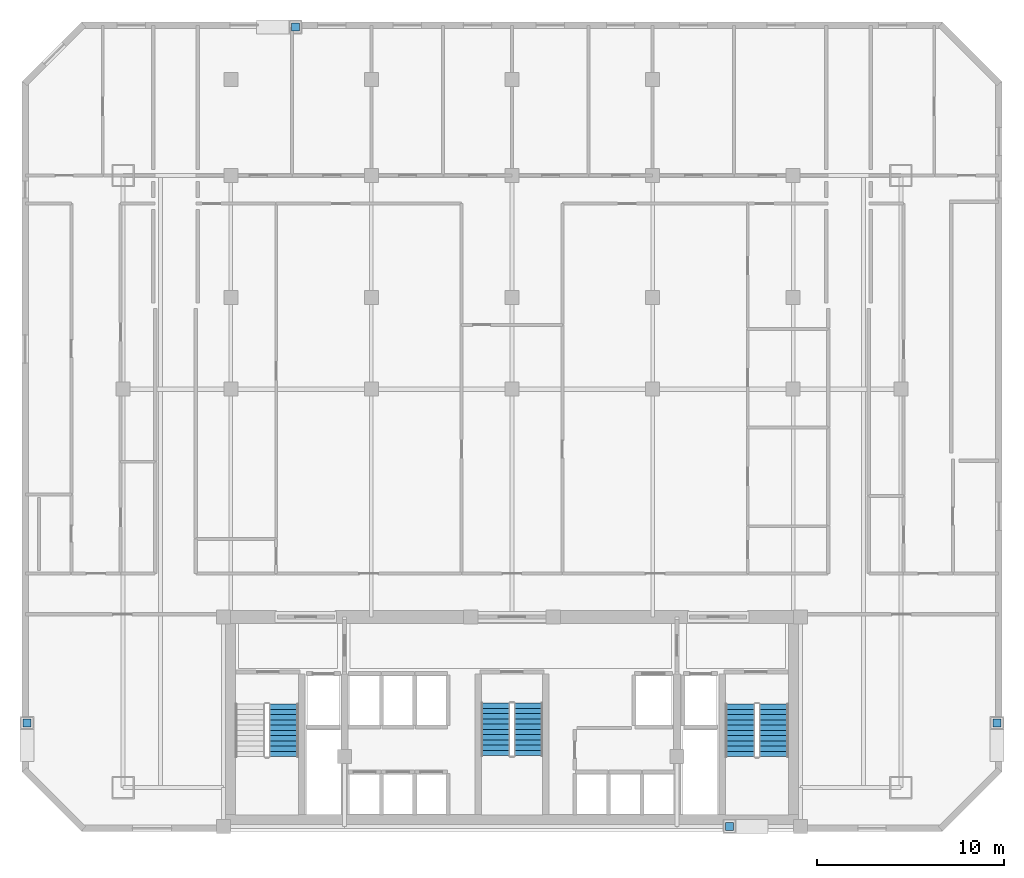
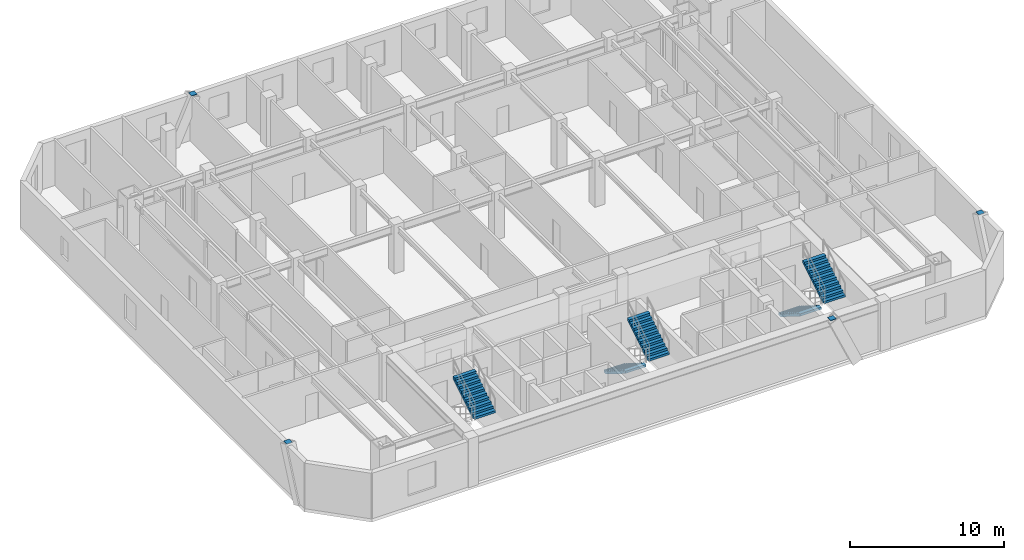
# One storey, part 7 of 8: 5 stair flights, 4 discrete accessories, 3 elements without a shape of their own.
"""IFC4 building model written with IfcOpenShell, lengths in metres."""

import ifcopenshell
import ifcopenshell.guid

model = None  # the IFC model being written
_history = None  # IfcOwnerHistory: only IFC2X3 demands one
_inside = {}  # id of a spatial element -> (the spatial element, [elements in it])
_under = {}  # id of a project, library or spatial element -> (it, [spatial elements below it])
_declared = {}  # id of a project -> (the project, [libraries it declares])
_typed = {}  # id of a type object -> (the type object, [elements of that type])
_made_of = {}  # id of a material, layer set ... -> (it, [elements and type objects made of it])


def new_model(schema):
    """Start an empty IFC model of exactly this schema.

    Asked for "IFC4X3", IfcOpenShell would pick the latest addendum, in which some entities
    have other attributes; the version numbers below select the first issue.
    IFC2X3 requires an IfcOwnerHistory on every rooted entity: one is made here for all.
    """
    global model, _history
    if schema == "IFC4X3":
        model = ifcopenshell.file(schema_version=(4, 3, 0, 0))
    else:
        model = ifcopenshell.file(schema=schema)
    _inside.clear()
    _under.clear()
    _declared.clear()
    _typed.clear()
    _made_of.clear()
    _history = None
    if model.schema == "IFC2X3":
        org = make("IfcOrganization", Name="unknown")
        user = make(
            "IfcPersonAndOrganization",
            ThePerson=make("IfcPerson", FamilyName="unknown"),
            TheOrganization=org,
        )
        app = make(
            "IfcApplication",
            ApplicationDeveloper=org,
            Version="unknown",
            ApplicationFullName="unknown",
            ApplicationIdentifier="unknown",
        )
        _history = make(
            "IfcOwnerHistory",
            OwningUser=user,
            OwningApplication=app,
            ChangeAction="ADDED",
            CreationDate=0,
        )
    return model


def make(cls, **values):
    """One entity of the class cls with the attributes given. An attribute that is None is left unset."""
    return model.create_entity(
        cls, **{name: value for name, value in values.items() if value is not None}
    )


def rooted(cls, **values):
    """An entity with a GlobalId (a new one), such as an element, a storey or a relation."""
    return make(cls, GlobalId=ifcopenshell.guid.new(), OwnerHistory=_history, **values)


def si_unit(unit_type, name, prefix=None):
    """IfcSIUnit, for example si_unit("LENGTHUNIT", "METRE", prefix="MILLI")."""
    return make("IfcSIUnit", UnitType=unit_type, Prefix=prefix, Name=name)


def assignment(units):
    """IfcUnitAssignment: the units of a project."""
    return None if units is None else make("IfcUnitAssignment", Units=units)


def point(xyz):
    """IfcCartesianPoint."""
    return None if xyz is None else make("IfcCartesianPoint", Coordinates=xyz)


def direction(xyz):
    """IfcDirection."""
    return None if xyz is None else make("IfcDirection", DirectionRatios=xyz)


def frame(location, z_axis=None, x_axis=None):
    """IfcAxis2Placement3D, a coordinate frame: its origin and axes. An axis left out is left unset."""
    return make(
        "IfcAxis2Placement3D",
        Location=point(location),
        Axis=direction(z_axis),
        RefDirection=direction(x_axis),
    )


def frame_2d(location, x_axis=None):
    """IfcAxis2Placement2D, a coordinate frame in the plane: its origin and x axis."""
    return make(
        "IfcAxis2Placement2D", Location=point(location), RefDirection=direction(x_axis)
    )


def origin():
    """The frame at (0, 0, 0) with its axes left unset."""
    return frame((0.0, 0.0, 0.0))


def origin_2d():
    """The frame at (0, 0) in the plane with its x axis left unset."""
    return frame_2d((0.0, 0.0))


def place(relative_to, where):
    """IfcLocalPlacement: puts the frame where relative to a parent placement (None: the world)."""
    return make(
        "IfcLocalPlacement", PlacementRelTo=relative_to, RelativePlacement=where
    )


def context(
    kind, dimensions, precision=None, world=None, true_north=None, identifier=None
):
    """IfcGeometricRepresentationContext, for example the 3D "Model" context."""
    return make(
        "IfcGeometricRepresentationContext",
        ContextIdentifier=identifier,
        ContextType=kind,
        CoordinateSpaceDimension=dimensions,
        Precision=precision,
        WorldCoordinateSystem=world,
        TrueNorth=true_north,
    )


def subcontext(parent, identifier, kind, view, scale=None):
    """IfcGeometricRepresentationSubContext, for example "Body" below "Model"."""
    return make(
        "IfcGeometricRepresentationSubContext",
        ContextIdentifier=identifier,
        ContextType=kind,
        ParentContext=parent,
        TargetScale=scale,
        TargetView=view,
    )


def project(units=None, contexts=None):
    """IfcProject with its units and contexts."""
    return rooted(
        "IfcProject",
        Name="project",
        RepresentationContexts=contexts,
        UnitsInContext=assignment(units),
    )


def spatial(cls, under=None, at=None, **own):
    """A site, building, storey or space (cls), placed at a placement, below another one or the project."""
    s = rooted(cls, ObjectPlacement=at, **own)
    if under is not None:
        _under.setdefault(under.id(), (under, []))[1].append(s)
    return s


def polyline(points):
    """IfcPolyline through the points."""
    return make("IfcPolyline", Points=[point(p) for p in points])


def profile(cls, at=None, kind="AREA", **sizes):
    """A parametric profile (cls). Its sizes go by their IFC names, for example OverallWidth=200.0."""
    return make(cls, ProfileType=kind, Position=at, **sizes)


def rectangle(**sizes):
    """IfcRectangleProfileDef."""
    return profile("IfcRectangleProfileDef", **sizes)


def outline(outer, holes=None, kind="AREA"):
    """IfcArbitraryClosedProfileDef: a profile drawn as a closed curve; with holes, ...WithVoids."""
    if holes is None:
        return make("IfcArbitraryClosedProfileDef", ProfileType=kind, OuterCurve=outer)
    return make(
        "IfcArbitraryProfileDefWithVoids",
        ProfileType=kind,
        OuterCurve=outer,
        InnerCurves=holes,
    )


def extrude(swept, where, along, depth):
    """IfcExtrudedAreaSolid: the profile swept, set in the frame where, extruded along a direction by depth."""
    return make(
        "IfcExtrudedAreaSolid",
        SweptArea=swept,
        Position=where,
        ExtrudedDirection=direction(along),
        Depth=depth,
    )


def shape(context_of_items, identifier, shape_type, items):
    """IfcShapeRepresentation: the items that make up one representation, for example the "Body"."""
    return make(
        "IfcShapeRepresentation",
        ContextOfItems=context_of_items,
        RepresentationIdentifier=identifier,
        RepresentationType=shape_type,
        Items=items,
    )


def material(Name=None, Category=None):
    """IfcMaterial."""
    return make("IfcMaterial", Name=Name, Category=Category)


def made_of(thing, what):
    """Note that an element or type object is made of a material, layer set ...; save() writes the relation."""
    if what is not None:
        _made_of.setdefault(what.id(), (what, []))[1].append(thing)
    return thing


def type_object(cls, material=None, **own):
    """A type object (cls), such as IfcWallType, which elements share."""
    return made_of(rooted(cls, **own), material)


def element(
    cls,
    number,
    at=None,
    inside=None,
    cuts=None,
    type_object=None,
    material=None,
    context=None,
    identifier="Body",
    shape_type=None,
    held_by="IfcProductDefinitionShape",
    body=None,
    shapes=None,
    **own,
):
    """One element of the class cls, such as IfcWall. Its Tag is "e" and its number.

    at: its placement. inside: the storey or other place that contains it. cuts: it is an
    opening in that element (IfcRelVoidsElement). A single representation is given by context,
    identifier, shape_type and body (its items); several are given by shapes. held_by: the class
    of the entity that holds the representations. save() writes the other relations.
    """
    e = rooted(cls, Tag="e%d" % number, ObjectPlacement=at, **own)
    if body is not None:
        shapes = [shape(context, identifier, shape_type, body)]
    if shapes is not None:
        e.Representation = make(held_by, Representations=shapes)
    if inside is not None:
        _inside.setdefault(inside.id(), (inside, []))[1].append(e)
    if cuts is not None:
        rooted(
            "IfcRelVoidsElement", RelatingBuildingElement=cuts, RelatedOpeningElement=e
        )
    if type_object is not None:
        _typed.setdefault(type_object.id(), (type_object, []))[1].append(e)
    return made_of(e, material)


def aggregate(whole, parts):
    """IfcRelAggregates: a whole, such as a stair, and the parts it consists of."""
    return rooted("IfcRelAggregates", RelatingObject=whole, RelatedObjects=parts)


def save(model, path):
    """Write the relations noted so far, then the file.

    IfcRelAggregates (storeys below a building ...), IfcRelContainedInSpatialStructure (elements
    in a storey), IfcRelDefinesByType, IfcRelAssociatesMaterial and IfcRelDeclares: one each for
    every whole, place, type object, material and project.
    """
    for whole, parts in _under.values():
        aggregate(whole, parts)
    for where, things in _inside.values():
        rooted(
            "IfcRelContainedInSpatialStructure",
            RelatedElements=things,
            RelatingStructure=where,
        )
    for kind, things in _typed.values():
        rooted("IfcRelDefinesByType", RelatedObjects=things, RelatingType=kind)
    for what, things in _made_of.values():
        rooted("IfcRelAssociatesMaterial", RelatedObjects=things, RelatingMaterial=what)
    for by, libraries in _declared.values():
        rooted("IfcRelDeclares", RelatingContext=by, RelatedDefinitions=libraries)
    model.write(path)


model = new_model("IFC4")

# Units and contexts
model_context = context("Model", 3, precision=1e-05, world=origin(), true_north=direction((0.0, 1.0)))
body_context = subcontext(model_context, "Body", "Model", "MODEL_VIEW")
ifc_project = project(units=[si_unit("LENGTHUNIT", "METRE"), si_unit("AREAUNIT", "SQUARE_METRE"), si_unit("VOLUMEUNIT", "CUBIC_METRE"), si_unit("PLANEANGLEUNIT", "RADIAN"), si_unit("MASSUNIT", "GRAM", prefix="KILO")], contexts=[model_context])

# Site, building, storey
site_placement = place(None, origin())
site = spatial("IfcSite", under=ifc_project, at=site_placement, CompositionType="ELEMENT")
building_placement = place(site_placement, origin())
building = spatial("IfcBuilding", under=site, at=building_placement, Name="Ventersveld Concourse Tower", CompositionType="ELEMENT")
storey_placement = place(building_placement, frame((0.0, 0.0, 127.25)))
storey = spatial("IfcBuildingStorey", under=building, at=storey_placement, Name="L31", CompositionType="ELEMENT", Elevation=127.25)

# Stair, stair flights
ifc_material_1 = material(Name="Concrete C50/60", Category="concrete")
stair_type_1 = type_object("IfcStairType", Name="ST-DOG-155", PredefinedType="HALF_TURN_STAIR", material=ifc_material_1)
stair_1_placement = place(storey_placement, origin())
stair_1 = element("IfcStair", 1, at=stair_1_placement, inside=storey, type_object=stair_type_1, Name="L31 Protected Central Core Escape Stair ST-03", PredefinedType="HALF_TURN_STAIR")
stair_flight_type_1 = type_object("IfcStairFlightType", Name="STF-RC-155", PredefinedType="STRAIGHT", material=ifc_material_1)
stair_flight_1_placement = place(storey_placement, frame((27.875, 6.85009765625, 0.0), z_axis=(0.0, 0.0, 1.0), x_axis=(0.0, -1.0, 0.0)))
stair_flight_1 = element("IfcStairFlight", 2, at=stair_flight_1_placement, type_object=stair_flight_type_1, Name="ST-03 flight 1", NumberOfRisers=11, NumberOfTreads=10, PredefinedType="STRAIGHT", RiserHeight=0.175, TreadLength=0.28, context=body_context, shape_type="SweptSolid", body=[
    extrude(outline(polyline([(0.0, 0.0), (0.0, 0.175048828125), (0.280029296875, 0.175048828125), (0.280029296875, 0.35009765625), (0.56005859375, 0.35009765625), (0.56005859375, 0.52490234375), (0.840087890625, 0.52490234375), (0.840087890625, 0.699951171875), (1.1201171875, 0.699951171875), (1.1201171875, 0.875), (1.39990234375, 0.875), (1.39990234375, 1.050048828125), (1.679931640625, 1.050048828125), (1.679931640625, 1.22509765625), (1.9599609375, 1.22509765625), (1.9599609375, 1.39990234375), (2.239990234375, 1.39990234375), (2.239990234375, 1.574951171875), (2.52001953125, 1.574951171875), (2.52001953125, 1.75), (2.800048828125, 1.75), (2.800048828125, 1.925048828125), (2.800048828125, 1.5732421875), (0.28271484375, 0.0), (0.0, 0.0)])), frame((0.0, 0.77490234375, 0.0), z_axis=(0.0, -1.0, 0.0), x_axis=(1.0, 0.0, 0.0)), (0.0, 0.0, 1.0), 1.550048828125),
])
stair_flight_2_placement = place(storey_placement, frame((29.625, 4.050048828125, 1.925048828125), z_axis=(0.0, 0.0, 1.0), x_axis=(0.0, 1.0, 0.0)))
stair_flight_2 = element("IfcStairFlight", 3, at=stair_flight_2_placement, type_object=stair_flight_type_1, Name="ST-03 flight 2", NumberOfRisers=11, NumberOfTreads=10, PredefinedType="STRAIGHT", RiserHeight=0.175, TreadLength=0.28, context=body_context, shape_type="SweptSolid", body=[
    extrude(outline(polyline([(0.0, 0.0), (0.0, 0.175048828125), (0.280029296875, 0.175048828125), (0.280029296875, 0.35009765625), (0.56005859375, 0.35009765625), (0.56005859375, 0.52490234375), (0.840087890625, 0.52490234375), (0.840087890625, 0.699951171875), (1.1201171875, 0.699951171875), (1.1201171875, 0.875), (1.39990234375, 0.875), (1.39990234375, 1.050048828125), (1.679931640625, 1.050048828125), (1.679931640625, 1.22509765625), (1.9599609375, 1.22509765625), (1.9599609375, 1.39990234375), (2.239990234375, 1.39990234375), (2.239990234375, 1.574951171875), (2.52001953125, 1.574951171875), (2.52001953125, 1.75), (2.800048828125, 1.75), (2.800048828125, 1.925048828125), (2.800048828125, 1.5732421875), (0.28271484375, 0.0), (0.0, 0.0)])), frame((0.0, 0.77490234375, 0.0), z_axis=(0.0, -1.0, 0.0), x_axis=(1.0, 0.0, 0.0)), (0.0, 0.0, 1.0), 1.550048828125),
])
aggregate(stair_1, [stair_flight_1, stair_flight_2])

# Stair, stair flight
stair_type_2 = type_object("IfcStairType", Name="ST-DOG-160", PredefinedType="HALF_TURN_STAIR", material=ifc_material_1)
stair_2_placement = place(storey_placement, origin())
stair_2 = element("IfcStair", 4, at=stair_2_placement, inside=storey, type_object=stair_type_2, Name="L31 Protected Tower Escape Stair ST-01", PredefinedType="HALF_TURN_STAIR")
stair_flight_type_2 = type_object("IfcStairFlightType", Name="STF-RC-160", PredefinedType="STRAIGHT", material=ifc_material_1)
stair_flight_3_placement = place(storey_placement, frame((16.580078125, 4.0, 1.925048828125), z_axis=(0.0, 0.0, 1.0), x_axis=(0.0, 1.0, 0.0)))
stair_flight_3 = element("IfcStairFlight", 5, at=stair_flight_3_placement, type_object=stair_flight_type_2, Name="ST-01 flight 2", NumberOfRisers=11, NumberOfTreads=10, PredefinedType="STRAIGHT", RiserHeight=0.175, TreadLength=0.28, context=body_context, shape_type="SweptSolid", body=[
    extrude(outline(polyline([(0.0, 0.0), (0.0, 0.175048828125), (0.280029296875, 0.175048828125), (0.280029296875, 0.35009765625), (0.56005859375, 0.35009765625), (0.56005859375, 0.52490234375), (0.840087890625, 0.52490234375), (0.840087890625, 0.699951171875), (1.1201171875, 0.699951171875), (1.1201171875, 0.875), (1.39990234375, 0.875), (1.39990234375, 1.050048828125), (1.679931640625, 1.050048828125), (1.679931640625, 1.22509765625), (1.9599609375, 1.22509765625), (1.9599609375, 1.39990234375), (2.239990234375, 1.39990234375), (2.239990234375, 1.574951171875), (2.52001953125, 1.574951171875), (2.52001953125, 1.75), (2.800048828125, 1.75), (2.800048828125, 1.925048828125), (2.800048828125, 1.5732421875), (0.28271484375, 0.0), (0.0, 0.0)])), frame((0.0, 0.800048828125, 0.0), z_axis=(0.0, -1.0, 0.0), x_axis=(1.0, 0.0, 0.0)), (0.0, 0.0, 1.0), 1.60009765625),
])
aggregate(stair_2, [stair_flight_3])

# Stair, stair flights
stair_3_placement = place(storey_placement, origin())
stair_3 = element("IfcStair", 6, at=stair_3_placement, inside=storey, type_object=stair_type_2, Name="L31 Protected Tower Escape Stair ST-02", PredefinedType="HALF_TURN_STAIR")
stair_flight_4_placement = place(storey_placement, frame((40.919921875, 6.800048828125, 0.0), z_axis=(0.0, 0.0, 1.0), x_axis=(0.0, -1.0, 0.0)))
stair_flight_4 = element("IfcStairFlight", 7, at=stair_flight_4_placement, type_object=stair_flight_type_2, Name="ST-02 flight 1", NumberOfRisers=11, NumberOfTreads=10, PredefinedType="STRAIGHT", RiserHeight=0.175, TreadLength=0.28, context=body_context, shape_type="SweptSolid", body=[
    extrude(outline(polyline([(0.0, 0.0), (0.0, 0.175048828125), (0.280029296875, 0.175048828125), (0.280029296875, 0.35009765625), (0.56005859375, 0.35009765625), (0.56005859375, 0.52490234375), (0.840087890625, 0.52490234375), (0.840087890625, 0.699951171875), (1.1201171875, 0.699951171875), (1.1201171875, 0.875), (1.39990234375, 0.875), (1.39990234375, 1.050048828125), (1.679931640625, 1.050048828125), (1.679931640625, 1.22509765625), (1.9599609375, 1.22509765625), (1.9599609375, 1.39990234375), (2.239990234375, 1.39990234375), (2.239990234375, 1.574951171875), (2.52001953125, 1.574951171875), (2.52001953125, 1.75), (2.800048828125, 1.75), (2.800048828125, 1.925048828125), (2.800048828125, 1.5732421875), (0.28271484375, 0.0), (0.0, 0.0)])), frame((0.0, 0.800048828125, 0.0), z_axis=(0.0, -1.0, 0.0), x_axis=(1.0, 0.0, 0.0)), (0.0, 0.0, 1.0), 1.60009765625),
])
stair_flight_5_placement = place(storey_placement, frame((42.719970703125, 4.0, 1.925048828125), z_axis=(0.0, 0.0, 1.0), x_axis=(0.0, 1.0, 0.0)))
stair_flight_5 = element("IfcStairFlight", 8, at=stair_flight_5_placement, type_object=stair_flight_type_2, Name="ST-02 flight 2", NumberOfRisers=11, NumberOfTreads=10, PredefinedType="STRAIGHT", RiserHeight=0.175, TreadLength=0.28, context=body_context, shape_type="SweptSolid", body=[
    extrude(outline(polyline([(0.0, 0.0), (0.0, 0.175048828125), (0.280029296875, 0.175048828125), (0.280029296875, 0.35009765625), (0.56005859375, 0.35009765625), (0.56005859375, 0.52490234375), (0.840087890625, 0.52490234375), (0.840087890625, 0.699951171875), (1.1201171875, 0.699951171875), (1.1201171875, 0.875), (1.39990234375, 0.875), (1.39990234375, 1.050048828125), (1.679931640625, 1.050048828125), (1.679931640625, 1.22509765625), (1.9599609375, 1.22509765625), (1.9599609375, 1.39990234375), (2.239990234375, 1.39990234375), (2.239990234375, 1.574951171875), (2.52001953125, 1.574951171875), (2.52001953125, 1.75), (2.800048828125, 1.75), (2.800048828125, 1.925048828125), (2.800048828125, 1.5732421875), (0.28271484375, 0.0), (0.0, 0.0)])), frame((0.0, 0.800048828125, 0.0), z_axis=(0.0, -1.0, 0.0), x_axis=(1.0, 0.0, 0.0)), (0.0, 0.0, 1.0), 1.60009765625),
])
aggregate(stair_3, [stair_flight_4, stair_flight_5])

# Discrete accessories
ifc_material_2 = material(Name="Structural steel S355J2", Category="steel")
discrete_accessory_type = type_object("IfcDiscreteAccessoryType", Name="CONN-BRACE-ECP1", PredefinedType="BRACKET", material=ifc_material_2)
for number, where, z_axis, x_axis, name in (
    (9, (17.19775390625, 42.919921875, 3.580078125), (0.0, 0.0, 1.0), (1.0, 0.0, 0.0), "L31 Steel Brace End Connection Plate ECP1-0301"),
    (10, (40.352294921875, 0.280029296875, 3.580078125), (0.0, 0.0, 1.0), (1.0, 0.0, 0.0), "L31 Steel Brace End Connection Plate ECP1-0305"),
    (11, (2.8798828125, 5.7978515625, 3.580078125), (0.0, 0.0, 1.0), (1.0, 0.0, 0.0), "L31 Steel Brace End Connection Plate ECP1-0309"),
    (12, (54.6201171875, 5.7978515625, 3.580078125), (0.0, 0.0, 1.0), (1.0, 0.0, 0.0), "L31 Steel Brace End Connection Plate ECP1-0313"),
):
    element("IfcDiscreteAccessory", number, at=place(storey_placement, frame(where, z_axis=z_axis, x_axis=x_axis)), inside=storey, type_object=discrete_accessory_type, Name=name, PredefinedType="BRACKET", context=body_context, shape_type="SweptSolid", body=[
        extrude(rectangle(XDim=0.419921875, YDim=0.419921875, at=origin_2d()), origin(), (0.0, 0.0, 1.0), 0.0400390625),
    ])

save(model, "model.ifc")
